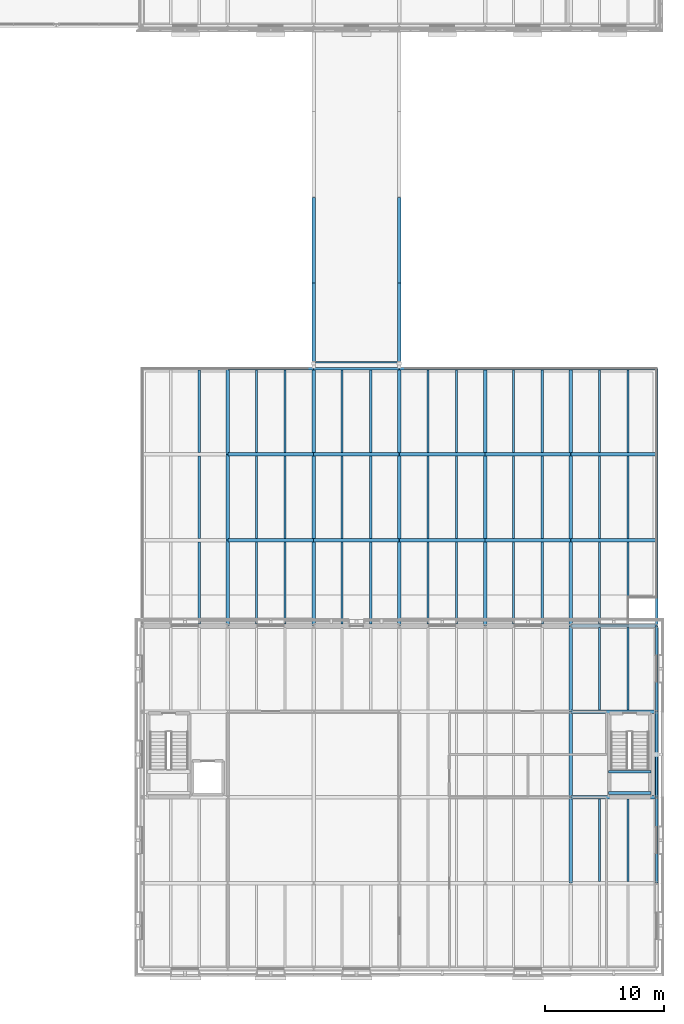
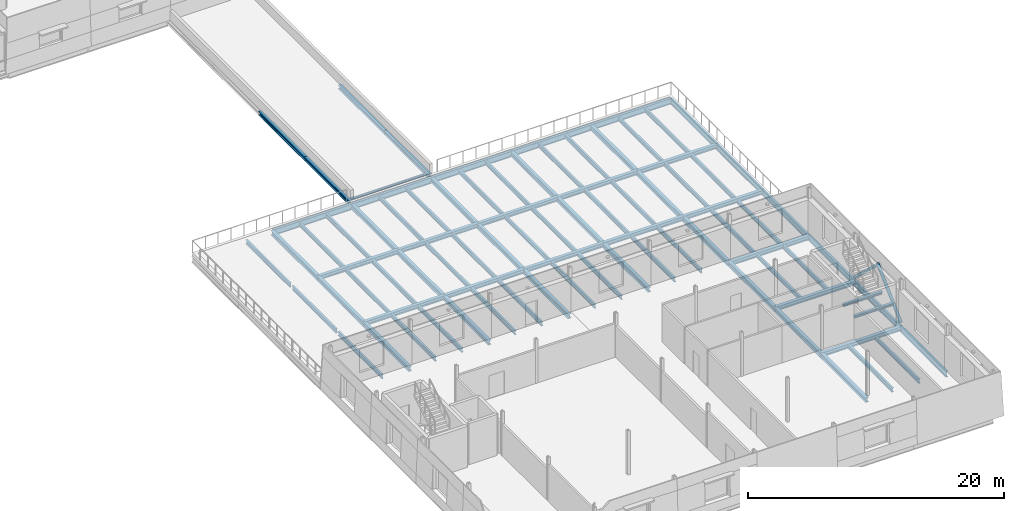
# One storey, part 36 of 115: 86 beams, 2 members.
"""IFC4 building model written with IfcOpenShell, lengths in metres."""

from ifc_helpers import new_model, si_unit, direction, frame, origin, origin_2d, place, context, subcontext, project, spatial, hollow_circle, i_section, extrude, material, material_profile, profile_set, type_object, element, save


model = new_model("IFC4")

# Units and contexts
model_context = context("Model", 3, precision=1e-05, world=origin(), true_north=direction((0.0, 1.0)))
body_context = subcontext(model_context, "Body", "Model", "MODEL_VIEW")
ifc_project = project(units=[si_unit("LENGTHUNIT", "METRE"), si_unit("AREAUNIT", "SQUARE_METRE"), si_unit("VOLUMEUNIT", "CUBIC_METRE"), si_unit("PLANEANGLEUNIT", "RADIAN"), si_unit("MASSUNIT", "GRAM", prefix="KILO")], contexts=[model_context])

# Site, building, storey
site_placement = place(None, origin())
site = spatial("IfcSite", under=ifc_project, at=site_placement, CompositionType="ELEMENT")
building_placement = place(site_placement, origin())
building = spatial("IfcBuilding", under=site, at=building_placement, Name="Narikvali Park Central Library", CompositionType="ELEMENT")
storey_placement = place(building_placement, frame((0.0, 0.0, 10.199951171875)))
storey = spatial("IfcBuildingStorey", under=building, at=storey_placement, Name="L02", CompositionType="ELEMENT", Elevation=10.199951171875)

# Beams
ifc_material = material(Name="Steel S355", Category="steel")
ifc_material_profile_1 = material_profile(ifc_material, i_section(OverallWidth=0.300048828125, OverallDepth=0.360107421875, WebThickness=0.012451171875, FlangeThickness=0.0224609375, FilletRadius=0.027099609375, at=origin_2d()), Name="HEB 360")
ifc_profile_set_1 = profile_set([ifc_material_profile_1], Name="Steel S355")
beam_type_1 = type_object("IfcBeamType", Name="Cloister Bridge Girder HEB360", PredefinedType="BEAM", material=ifc_profile_set_1)
beam_1_placement = place(storey_placement, frame((136.800048828125, 50.6201171875, -0.419921875), z_axis=(0.0, 1.0, 0.0), x_axis=(-1.0, 0.0, 0.0)))
element("IfcBeam", 1, at=beam_1_placement, inside=storey, type_object=beam_type_1, Name="BRG-4 L02 Sliding Bridge Girder 1-1", PredefinedType="BEAM", context=body_context, shape_type="SweptSolid", body=[
    extrude(i_section(OverallWidth=0.300048828125, OverallDepth=0.360107421875, WebThickness=0.012451171875, FlangeThickness=0.0224609375, FilletRadius=0.027099609375, at=origin_2d()), origin(), (0.0, 0.0, 1.0), 6.969970703125),
])
beam_2_placement = place(storey_placement, frame((136.800048828125, 57.610107421875, -0.419921875), z_axis=(0.0, 1.0, 0.0), x_axis=(-1.0, 0.0, 0.0)))
element("IfcBeam", 2, at=beam_2_placement, inside=storey, type_object=beam_type_1, Name="BRG-4 L02 Sliding Bridge Girder 1-2", PredefinedType="BEAM", context=body_context, shape_type="SweptSolid", body=[
    extrude(i_section(OverallWidth=0.300048828125, OverallDepth=0.360107421875, WebThickness=0.012451171875, FlangeThickness=0.0224609375, FilletRadius=0.027099609375, at=origin_2d()), origin(), (0.0, 0.0, 1.0), 7.179931640625),
])
beam_3_placement = place(storey_placement, frame((144.0, 50.6201171875, -0.419921875), z_axis=(0.0, 1.0, 0.0), x_axis=(-1.0, 0.0, 0.0)))
element("IfcBeam", 3, at=beam_3_placement, inside=storey, type_object=beam_type_1, Name="BRG-4 L02 Sliding Bridge Girder 2-1", PredefinedType="BEAM", context=body_context, shape_type="SweptSolid", body=[
    extrude(i_section(OverallWidth=0.300048828125, OverallDepth=0.360107421875, WebThickness=0.012451171875, FlangeThickness=0.0224609375, FilletRadius=0.027099609375, at=origin_2d()), origin(), (0.0, 0.0, 1.0), 6.969970703125),
])
beam_4_placement = place(storey_placement, frame((144.0, 57.610107421875, -0.419921875), z_axis=(0.0, 1.0, 0.0), x_axis=(-1.0, 0.0, 0.0)))
element("IfcBeam", 4, at=beam_4_placement, inside=storey, type_object=beam_type_1, Name="BRG-4 L02 Sliding Bridge Girder 2-2", PredefinedType="BEAM", context=body_context, shape_type="SweptSolid", body=[
    extrude(i_section(OverallWidth=0.300048828125, OverallDepth=0.360107421875, WebThickness=0.012451171875, FlangeThickness=0.0224609375, FilletRadius=0.027099609375, at=origin_2d()), origin(), (0.0, 0.0, 1.0), 7.179931640625),
])
ifc_material_profile_2 = material_profile(ifc_material, i_section(OverallWidth=0.179931640625, OverallDepth=0.39990234375, WebThickness=0.008544921875, FlangeThickness=0.013427734375, FilletRadius=0.02099609375, at=origin_2d()), Name="IPE 400")
ifc_profile_set_2 = profile_set([ifc_material_profile_2], Name="Steel S355")
beam_type_2 = type_object("IfcBeamType", Name="Composite Floor Joist IPE400", PredefinedType="JOIST", material=ifc_profile_set_2)
for number, where, z_axis, x_axis, name in (
    (5, (127.199951171875, 28.949951171875, -0.5400390625), (0.0, 1.0, 0.0), (-1.0, 0.0, 0.0), "V6 L02 Composite Joist 2"),
    (6, (127.199951171875, 36.14990234375, -0.5400390625), (0.0, 1.0, 0.0), (-1.0, 0.0, 0.0), "V6 L02 Composite Joist 2"),
):
    element("IfcBeam", number, at=place(storey_placement, frame(where, z_axis=z_axis, x_axis=x_axis)), inside=storey, type_object=beam_type_2, Name=name, PredefinedType="JOIST", context=body_context, shape_type="SweptSolid", body=[
        extrude(i_section(OverallWidth=0.179931640625, OverallDepth=0.39990234375, WebThickness=0.008544921875, FlangeThickness=0.013427734375, FilletRadius=0.02099609375, at=origin_2d()), origin(), (0.0, 0.0, 1.0), 6.900146484375),
    ])
beam_5_placement = place(storey_placement, frame((127.199951171875, 43.35009765625, -0.5400390625), z_axis=(0.0, 1.0, 0.0), x_axis=(-1.0, 0.0, 0.0)))
element("IfcBeam", 7, at=beam_5_placement, inside=storey, type_object=beam_type_2, Name="V6 L02 Composite Joist 2", PredefinedType="JOIST", context=body_context, shape_type="SweptSolid", body=[
    extrude(i_section(OverallWidth=0.179931640625, OverallDepth=0.39990234375, WebThickness=0.008544921875, FlangeThickness=0.013427734375, FilletRadius=0.02099609375, at=origin_2d()), origin(), (0.0, 0.0, 1.0), 6.94482421875),
])
for number, where, z_axis, x_axis, name in (
    (8, (132.0, 28.949951171875, -0.5400390625), (0.0, 1.0, 0.0), (-1.0, 0.0, 0.0), "V6 L02 Composite Joist 1"),
    (9, (134.39990234375, 28.949951171875, -0.5400390625), (0.0, 1.0, 0.0), (-1.0, 0.0, 0.0), "V6 L02 Composite Joist 2"),
    (10, (132.0, 36.14990234375, -0.5400390625), (0.0, 1.0, 0.0), (-1.0, 0.0, 0.0), "V6 L02 Composite Joist 1"),
    (11, (134.39990234375, 36.14990234375, -0.5400390625), (0.0, 1.0, 0.0), (-1.0, 0.0, 0.0), "V6 L02 Composite Joist 2"),
):
    element("IfcBeam", number, at=place(storey_placement, frame(where, z_axis=z_axis, x_axis=x_axis)), inside=storey, type_object=beam_type_2, Name=name, PredefinedType="JOIST", context=body_context, shape_type="SweptSolid", body=[
        extrude(i_section(OverallWidth=0.179931640625, OverallDepth=0.39990234375, WebThickness=0.008544921875, FlangeThickness=0.013427734375, FilletRadius=0.02099609375, at=origin_2d()), origin(), (0.0, 0.0, 1.0), 6.900146484375),
    ])
for number, where, z_axis, x_axis, name in (
    (12, (132.0, 43.35009765625, -0.5400390625), (0.0, 1.0, 0.0), (-1.0, 0.0, 0.0), "V6 L02 Composite Joist 1"),
    (13, (134.39990234375, 43.35009765625, -0.5400390625), (0.0, 1.0, 0.0), (-1.0, 0.0, 0.0), "V6 L02 Composite Joist 2"),
):
    element("IfcBeam", number, at=place(storey_placement, frame(where, z_axis=z_axis, x_axis=x_axis)), inside=storey, type_object=beam_type_2, Name=name, PredefinedType="JOIST", context=body_context, shape_type="SweptSolid", body=[
        extrude(i_section(OverallWidth=0.179931640625, OverallDepth=0.39990234375, WebThickness=0.008544921875, FlangeThickness=0.013427734375, FilletRadius=0.02099609375, at=origin_2d()), origin(), (0.0, 0.0, 1.0), 6.94482421875),
    ])
for number, where, z_axis, x_axis, name in (
    (14, (139.199951171875, 28.949951171875, -0.5400390625), (0.0, 1.0, 0.0), (-1.0, 0.0, 0.0), "V6 L02 Composite Joist 1"),
    (15, (141.60009765625, 28.949951171875, -0.5400390625), (0.0, 1.0, 0.0), (-1.0, 0.0, 0.0), "V6 L02 Composite Joist 2"),
    (16, (139.199951171875, 36.14990234375, -0.5400390625), (0.0, 1.0, 0.0), (-1.0, 0.0, 0.0), "V6 L02 Composite Joist 1"),
    (17, (141.60009765625, 36.14990234375, -0.5400390625), (0.0, 1.0, 0.0), (-1.0, 0.0, 0.0), "V6 L02 Composite Joist 2"),
):
    element("IfcBeam", number, at=place(storey_placement, frame(where, z_axis=z_axis, x_axis=x_axis)), inside=storey, type_object=beam_type_2, Name=name, PredefinedType="JOIST", context=body_context, shape_type="SweptSolid", body=[
        extrude(i_section(OverallWidth=0.179931640625, OverallDepth=0.39990234375, WebThickness=0.008544921875, FlangeThickness=0.013427734375, FilletRadius=0.02099609375, at=origin_2d()), origin(), (0.0, 0.0, 1.0), 6.900146484375),
    ])
for number, where, z_axis, x_axis, name in (
    (18, (139.199951171875, 43.35009765625, -0.5400390625), (0.0, 1.0, 0.0), (-1.0, 0.0, 0.0), "V6 L02 Composite Joist 1"),
    (19, (141.60009765625, 43.35009765625, -0.5400390625), (0.0, 1.0, 0.0), (-1.0, 0.0, 0.0), "V6 L02 Composite Joist 2"),
):
    element("IfcBeam", number, at=place(storey_placement, frame(where, z_axis=z_axis, x_axis=x_axis)), inside=storey, type_object=beam_type_2, Name=name, PredefinedType="JOIST", context=body_context, shape_type="SweptSolid", body=[
        extrude(i_section(OverallWidth=0.179931640625, OverallDepth=0.39990234375, WebThickness=0.008544921875, FlangeThickness=0.013427734375, FilletRadius=0.02099609375, at=origin_2d()), origin(), (0.0, 0.0, 1.0), 6.94482421875),
    ])
for number, where, z_axis, x_axis, name in (
    (20, (146.39990234375, 28.949951171875, -0.5400390625), (0.0, 1.0, 0.0), (-1.0, 0.0, 0.0), "V6 L02 Composite Joist 1"),
    (21, (148.800048828125, 28.949951171875, -0.5400390625), (0.0, 1.0, 0.0), (-1.0, 0.0, 0.0), "V6 L02 Composite Joist 2"),
    (22, (146.39990234375, 36.14990234375, -0.5400390625), (0.0, 1.0, 0.0), (-1.0, 0.0, 0.0), "V6 L02 Composite Joist 1"),
    (23, (148.800048828125, 36.14990234375, -0.5400390625), (0.0, 1.0, 0.0), (-1.0, 0.0, 0.0), "V6 L02 Composite Joist 2"),
):
    element("IfcBeam", number, at=place(storey_placement, frame(where, z_axis=z_axis, x_axis=x_axis)), inside=storey, type_object=beam_type_2, Name=name, PredefinedType="JOIST", context=body_context, shape_type="SweptSolid", body=[
        extrude(i_section(OverallWidth=0.179931640625, OverallDepth=0.39990234375, WebThickness=0.008544921875, FlangeThickness=0.013427734375, FilletRadius=0.02099609375, at=origin_2d()), origin(), (0.0, 0.0, 1.0), 6.900146484375),
    ])
for number, where, z_axis, x_axis, name in (
    (24, (146.39990234375, 43.35009765625, -0.5400390625), (0.0, 1.0, 0.0), (-1.0, 0.0, 0.0), "V6 L02 Composite Joist 1"),
    (25, (148.800048828125, 43.35009765625, -0.5400390625), (0.0, 1.0, 0.0), (-1.0, 0.0, 0.0), "V6 L02 Composite Joist 2"),
):
    element("IfcBeam", number, at=place(storey_placement, frame(where, z_axis=z_axis, x_axis=x_axis)), inside=storey, type_object=beam_type_2, Name=name, PredefinedType="JOIST", context=body_context, shape_type="SweptSolid", body=[
        extrude(i_section(OverallWidth=0.179931640625, OverallDepth=0.39990234375, WebThickness=0.008544921875, FlangeThickness=0.013427734375, FilletRadius=0.02099609375, at=origin_2d()), origin(), (0.0, 0.0, 1.0), 6.94482421875),
    ])
for number, where, z_axis, x_axis, name in (
    (26, (153.60009765625, 28.949951171875, -0.5400390625), (0.0, 1.0, 0.0), (-1.0, 0.0, 0.0), "V6 L02 Composite Joist 1"),
    (27, (156.0, 28.949951171875, -0.5400390625), (0.0, 1.0, 0.0), (-1.0, 0.0, 0.0), "V6 L02 Composite Joist 2"),
    (28, (153.60009765625, 36.14990234375, -0.5400390625), (0.0, 1.0, 0.0), (-1.0, 0.0, 0.0), "V6 L02 Composite Joist 1"),
    (29, (156.0, 36.14990234375, -0.5400390625), (0.0, 1.0, 0.0), (-1.0, 0.0, 0.0), "V6 L02 Composite Joist 2"),
):
    element("IfcBeam", number, at=place(storey_placement, frame(where, z_axis=z_axis, x_axis=x_axis)), inside=storey, type_object=beam_type_2, Name=name, PredefinedType="JOIST", context=body_context, shape_type="SweptSolid", body=[
        extrude(i_section(OverallWidth=0.179931640625, OverallDepth=0.39990234375, WebThickness=0.008544921875, FlangeThickness=0.013427734375, FilletRadius=0.02099609375, at=origin_2d()), origin(), (0.0, 0.0, 1.0), 6.900146484375),
    ])
for number, where, z_axis, x_axis, name in (
    (30, (153.60009765625, 43.35009765625, -0.5400390625), (0.0, 1.0, 0.0), (-1.0, 0.0, 0.0), "V6 L02 Composite Joist 1"),
    (31, (156.0, 43.35009765625, -0.5400390625), (0.0, 1.0, 0.0), (-1.0, 0.0, 0.0), "V6 L02 Composite Joist 2"),
):
    element("IfcBeam", number, at=place(storey_placement, frame(where, z_axis=z_axis, x_axis=x_axis)), inside=storey, type_object=beam_type_2, Name=name, PredefinedType="JOIST", context=body_context, shape_type="SweptSolid", body=[
        extrude(i_section(OverallWidth=0.179931640625, OverallDepth=0.39990234375, WebThickness=0.008544921875, FlangeThickness=0.013427734375, FilletRadius=0.02099609375, at=origin_2d()), origin(), (0.0, 0.0, 1.0), 6.94482421875),
    ])
for number, where, z_axis, x_axis, name in (
    (32, (160.800048828125, 7.35009765625, -0.47998046875), (0.0, 1.0, 0.0), (-1.0, 0.0, 0.0), "V6 L02 Composite Joist 1"),
    (33, (163.199951171875, 7.35009765625, -0.47998046875), (0.0, 1.0, 0.0), (-1.0, 0.0, 0.0), "V6 L02 Composite Joist 2"),
    (34, (160.800048828125, 21.75, -0.47998046875), (0.0, 1.0, 0.0), (-1.0, 0.0, 0.0), "V6 L02 Composite Joist 1"),
    (35, (163.199951171875, 21.75, -0.47998046875), (0.0, 1.0, 0.0), (-1.0, 0.0, 0.0), "V6 L02 Composite Joist 2"),
):
    element("IfcBeam", number, at=place(storey_placement, frame(where, z_axis=z_axis, x_axis=x_axis)), inside=storey, type_object=beam_type_2, Name=name, PredefinedType="JOIST", context=body_context, shape_type="SweptSolid", body=[
        extrude(i_section(OverallWidth=0.179931640625, OverallDepth=0.39990234375, WebThickness=0.008544921875, FlangeThickness=0.013427734375, FilletRadius=0.02099609375, at=origin_2d()), origin(), (0.0, 0.0, 1.0), 6.89990234375),
    ])
for number, where, z_axis, x_axis, name in (
    (36, (160.800048828125, 28.949951171875, -0.5400390625), (0.0, 1.0, 0.0), (-1.0, 0.0, 0.0), "V6 L02 Composite Joist 1"),
    (37, (163.199951171875, 28.949951171875, -0.5400390625), (0.0, 1.0, 0.0), (-1.0, 0.0, 0.0), "V6 L02 Composite Joist 2"),
    (38, (160.800048828125, 36.14990234375, -0.5400390625), (0.0, 1.0, 0.0), (-1.0, 0.0, 0.0), "V6 L02 Composite Joist 1"),
    (39, (163.199951171875, 36.14990234375, -0.5400390625), (0.0, 1.0, 0.0), (-1.0, 0.0, 0.0), "V6 L02 Composite Joist 2"),
):
    element("IfcBeam", number, at=place(storey_placement, frame(where, z_axis=z_axis, x_axis=x_axis)), inside=storey, type_object=beam_type_2, Name=name, PredefinedType="JOIST", context=body_context, shape_type="SweptSolid", body=[
        extrude(i_section(OverallWidth=0.179931640625, OverallDepth=0.39990234375, WebThickness=0.008544921875, FlangeThickness=0.013427734375, FilletRadius=0.02099609375, at=origin_2d()), origin(), (0.0, 0.0, 1.0), 6.900146484375),
    ])
for number, where, z_axis, x_axis, name in (
    (40, (160.800048828125, 43.35009765625, -0.5400390625), (0.0, 1.0, 0.0), (-1.0, 0.0, 0.0), "V6 L02 Composite Joist 1"),
    (41, (163.199951171875, 43.35009765625, -0.5400390625), (0.0, 1.0, 0.0), (-1.0, 0.0, 0.0), "V6 L02 Composite Joist 2"),
):
    element("IfcBeam", number, at=place(storey_placement, frame(where, z_axis=z_axis, x_axis=x_axis)), inside=storey, type_object=beam_type_2, Name=name, PredefinedType="JOIST", context=body_context, shape_type="SweptSolid", body=[
        extrude(i_section(OverallWidth=0.179931640625, OverallDepth=0.39990234375, WebThickness=0.008544921875, FlangeThickness=0.013427734375, FilletRadius=0.02099609375, at=origin_2d()), origin(), (0.0, 0.0, 1.0), 6.94482421875),
    ])
ifc_material_profile_3 = material_profile(ifc_material, i_section(OverallWidth=0.239990234375, OverallDepth=0.239990234375, WebThickness=0.010009765625, FlangeThickness=0.01708984375, FilletRadius=0.02099609375, at=origin_2d()), Name="HEB 240")
ifc_profile_set_3 = profile_set([ifc_material_profile_3], Name="Steel S355")
beam_type_3 = type_object("IfcBeamType", Name="Core Trimmer Girder HEB240", PredefinedType="BEAM", material=ifc_profile_set_3)
for number, where, z_axis, x_axis, name in (
    (42, (161.570068359375, 14.77001953125, 1.780029296875), (1.0, 0.0, 0.0), (0.0, 1.0, 0.0), "ST-12 L02 Landing Trimmer Beam 1-1"),
    (43, (161.570068359375, 16.544921875, 1.780029296875), (1.0, 0.0, 0.0), (0.0, 1.0, 0.0), "ST-12 L02 Landing Trimmer Beam 1-2"),
):
    element("IfcBeam", number, at=place(storey_placement, frame(where, z_axis=z_axis, x_axis=x_axis)), inside=storey, type_object=beam_type_3, Name=name, PredefinedType="BEAM", context=body_context, shape_type="SweptSolid", body=[
        extrude(i_section(OverallWidth=0.239990234375, OverallDepth=0.239990234375, WebThickness=0.010009765625, FlangeThickness=0.01708984375, FilletRadius=0.02099609375, at=origin_2d()), origin(), (0.0, 0.0, 1.0), 3.559814453125),
    ])
ifc_material_profile_4 = material_profile(ifc_material, i_section(OverallWidth=0.2099609375, OverallDepth=0.550048828125, WebThickness=0.010986328125, FlangeThickness=0.01708984375, FilletRadius=0.02392578125, at=origin_2d()), Name="IPE 550")
ifc_profile_set_4 = profile_set([ifc_material_profile_4], Name="Steel S355")
beam_type_4 = type_object("IfcBeamType", Name="Perimeter Spandrel IPE550", PredefinedType="SPANDREL", material=ifc_profile_set_4)
beam_6_placement = place(storey_placement, frame((129.60791015625, 50.39990234375, -0.614990234375), z_axis=(1.0, 0.0, 0.0), x_axis=(0.0, 1.0, 0.0)))
element("IfcBeam", 44, at=beam_6_placement, inside=storey, type_object=beam_type_4, Name="V6 L02 Girder X", PredefinedType="SPANDREL", context=body_context, shape_type="SweptSolid", body=[
    extrude(i_section(OverallWidth=0.2099609375, OverallDepth=0.550048828125, WebThickness=0.010986328125, FlangeThickness=0.01708984375, FilletRadius=0.02392578125, at=origin_2d()), origin(), (0.0, 0.0, 1.0), 7.18408203125),
])
for number, where, z_axis, x_axis, name in (
    (45, (136.80810546875, 50.39990234375, -0.614990234375), (1.0, 0.0, 0.0), (0.0, 1.0, 0.0), "V6 L02 Girder X"),
    (46, (144.008056640625, 50.39990234375, -0.614990234375), (1.0, 0.0, 0.0), (0.0, 1.0, 0.0), "V6 L02 Girder X"),
):
    element("IfcBeam", number, at=place(storey_placement, frame(where, z_axis=z_axis, x_axis=x_axis)), inside=storey, type_object=beam_type_4, Name=name, PredefinedType="SPANDREL", context=body_context, shape_type="SweptSolid", body=[
        extrude(i_section(OverallWidth=0.2099609375, OverallDepth=0.550048828125, WebThickness=0.010986328125, FlangeThickness=0.01708984375, FilletRadius=0.02392578125, at=origin_2d()), origin(), (0.0, 0.0, 1.0), 7.183837890625),
    ])
for number, where, z_axis, x_axis, name in (
    (47, (151.2080078125, 50.39990234375, -0.614990234375), (1.0, 0.0, 0.0), (0.0, 1.0, 0.0), "V6 L02 Girder X"),
    (48, (158.407958984375, 50.39990234375, -0.614990234375), (1.0, 0.0, 0.0), (0.0, 1.0, 0.0), "V6 L02 Girder X"),
    (49, (165.60009765625, 7.2080078125, -0.554931640625), (0.0, 1.0, 0.0), (-1.0, 0.0, 0.0), "V6 L02 Girder Y"),
    (50, (165.60009765625, 14.407958984375, -0.554931640625), (0.0, 1.0, 0.0), (-1.0, 0.0, 0.0), "V6 L02 Girder Y"),
    (51, (165.60009765625, 21.60791015625, -0.554931640625), (0.0, 1.0, 0.0), (-1.0, 0.0, 0.0), "V6 L02 Girder Y"),
):
    element("IfcBeam", number, at=place(storey_placement, frame(where, z_axis=z_axis, x_axis=x_axis)), inside=storey, type_object=beam_type_4, Name=name, PredefinedType="SPANDREL", context=body_context, shape_type="SweptSolid", body=[
        extrude(i_section(OverallWidth=0.2099609375, OverallDepth=0.550048828125, WebThickness=0.010986328125, FlangeThickness=0.01708984375, FilletRadius=0.02392578125, at=origin_2d()), origin(), (0.0, 0.0, 1.0), 7.18408203125),
    ])
for number, where, z_axis, x_axis, name in (
    (52, (165.60009765625, 28.80810546875, -0.614990234375), (0.0, 1.0, 0.0), (-1.0, 0.0, 0.0), "V6 L02 Girder Y"),
    (53, (165.60009765625, 36.008056640625, -0.614990234375), (0.0, 1.0, 0.0), (-1.0, 0.0, 0.0), "V6 L02 Girder Y"),
):
    element("IfcBeam", number, at=place(storey_placement, frame(where, z_axis=z_axis, x_axis=x_axis)), inside=storey, type_object=beam_type_4, Name=name, PredefinedType="SPANDREL", context=body_context, shape_type="SweptSolid", body=[
        extrude(i_section(OverallWidth=0.2099609375, OverallDepth=0.550048828125, WebThickness=0.010986328125, FlangeThickness=0.01708984375, FilletRadius=0.02392578125, at=origin_2d()), origin(), (0.0, 0.0, 1.0), 7.183837890625),
    ])
beam_7_placement = place(storey_placement, frame((165.60009765625, 43.2080078125, -0.614990234375), z_axis=(0.0, 1.0, 0.0), x_axis=(-1.0, 0.0, 0.0)))
element("IfcBeam", 54, at=beam_7_placement, inside=storey, type_object=beam_type_4, Name="V6 L02 Girder Y", PredefinedType="SPANDREL", context=body_context, shape_type="SweptSolid", body=[
    extrude(i_section(OverallWidth=0.2099609375, OverallDepth=0.550048828125, WebThickness=0.010986328125, FlangeThickness=0.01708984375, FilletRadius=0.02392578125, at=origin_2d()), origin(), (0.0, 0.0, 1.0), 7.18408203125),
])
ifc_material_profile_5 = material_profile(ifc_material, i_section(OverallWidth=0.1201171875, OverallDepth=0.239990234375, WebThickness=0.006103515625, FlangeThickness=0.009765625, FilletRadius=0.014892578125, at=origin_2d()), Name="IPE 240")
ifc_profile_set_5 = profile_set([ifc_material_profile_5], Name="Steel S355")
beam_type_5 = type_object("IfcBeamType", Name="Portal Steel Lintel IPE240", PredefinedType="LINTEL", material=ifc_profile_set_5)
beam_8_placement = place(storey_placement, frame((136.9599609375, 50.949951171875, -0.35986328125), z_axis=(1.0, 0.0, 0.0), x_axis=(0.0, 1.0, 0.0)))
element("IfcBeam", 55, at=beam_8_placement, inside=storey, type_object=beam_type_5, Name="BRG-4 L02 Portal Transverse Lintel", PredefinedType="LINTEL", context=body_context, shape_type="SweptSolid", body=[
    extrude(i_section(OverallWidth=0.1201171875, OverallDepth=0.239990234375, WebThickness=0.006103515625, FlangeThickness=0.009765625, FilletRadius=0.014892578125, at=origin_2d()), origin(), (0.0, 0.0, 1.0), 6.880126953125),
])
ifc_material_profile_6 = material_profile(ifc_material, i_section(OverallWidth=0.300048828125, OverallDepth=0.389892578125, WebThickness=0.010986328125, FlangeThickness=0.01904296875, FilletRadius=0.027099609375, at=origin_2d()), Name="HEA 400")
ifc_profile_set_6 = profile_set([ifc_material_profile_6], Name="Steel S355")
beam_type_6 = type_object("IfcBeamType", Name="Primary Girder HEA400", PredefinedType="BEAM", material=ifc_profile_set_6)
for number, where, z_axis, x_axis, name in (
    (56, (158.407958984375, 14.39990234375, -0.474853515625), (1.0, 0.0, 0.0), (0.0, 1.0, 0.0), "V6 L02 Girder X"),
    (57, (158.407958984375, 21.60009765625, -0.474853515625), (1.0, 0.0, 0.0), (0.0, 1.0, 0.0), "V6 L02 Girder X"),
    (58, (158.407958984375, 28.800048828125, -0.534912109375), (1.0, 0.0, 0.0), (0.0, 1.0, 0.0), "V6 L02 Girder X"),
    (59, (129.60791015625, 36.0, -0.534912109375), (1.0, 0.0, 0.0), (0.0, 1.0, 0.0), "V6 L02 Girder X"),
):
    element("IfcBeam", number, at=place(storey_placement, frame(where, z_axis=z_axis, x_axis=x_axis)), inside=storey, type_object=beam_type_6, Name=name, PredefinedType="BEAM", context=body_context, shape_type="SweptSolid", body=[
        extrude(i_section(OverallWidth=0.300048828125, OverallDepth=0.389892578125, WebThickness=0.010986328125, FlangeThickness=0.01904296875, FilletRadius=0.027099609375, at=origin_2d()), origin(), (0.0, 0.0, 1.0), 7.18408203125),
    ])
for number, where, z_axis, x_axis, name in (
    (60, (136.80810546875, 36.0, -0.534912109375), (1.0, 0.0, 0.0), (0.0, 1.0, 0.0), "V6 L02 Girder X"),
    (61, (144.008056640625, 36.0, -0.534912109375), (1.0, 0.0, 0.0), (0.0, 1.0, 0.0), "V6 L02 Girder X"),
):
    element("IfcBeam", number, at=place(storey_placement, frame(where, z_axis=z_axis, x_axis=x_axis)), inside=storey, type_object=beam_type_6, Name=name, PredefinedType="BEAM", context=body_context, shape_type="SweptSolid", body=[
        extrude(i_section(OverallWidth=0.300048828125, OverallDepth=0.389892578125, WebThickness=0.010986328125, FlangeThickness=0.01904296875, FilletRadius=0.027099609375, at=origin_2d()), origin(), (0.0, 0.0, 1.0), 7.183837890625),
    ])
for number, where, z_axis, x_axis, name in (
    (62, (151.2080078125, 36.0, -0.534912109375), (1.0, 0.0, 0.0), (0.0, 1.0, 0.0), "V6 L02 Girder X"),
    (63, (158.407958984375, 36.0, -0.534912109375), (1.0, 0.0, 0.0), (0.0, 1.0, 0.0), "V6 L02 Girder X"),
    (64, (129.60791015625, 43.199951171875, -0.534912109375), (1.0, 0.0, 0.0), (0.0, 1.0, 0.0), "V6 L02 Girder X"),
):
    element("IfcBeam", number, at=place(storey_placement, frame(where, z_axis=z_axis, x_axis=x_axis)), inside=storey, type_object=beam_type_6, Name=name, PredefinedType="BEAM", context=body_context, shape_type="SweptSolid", body=[
        extrude(i_section(OverallWidth=0.300048828125, OverallDepth=0.389892578125, WebThickness=0.010986328125, FlangeThickness=0.01904296875, FilletRadius=0.027099609375, at=origin_2d()), origin(), (0.0, 0.0, 1.0), 7.18408203125),
    ])
for number, where, z_axis, x_axis, name in (
    (65, (136.80810546875, 43.199951171875, -0.534912109375), (1.0, 0.0, 0.0), (0.0, 1.0, 0.0), "V6 L02 Girder X"),
    (66, (144.008056640625, 43.199951171875, -0.534912109375), (1.0, 0.0, 0.0), (0.0, 1.0, 0.0), "V6 L02 Girder X"),
):
    element("IfcBeam", number, at=place(storey_placement, frame(where, z_axis=z_axis, x_axis=x_axis)), inside=storey, type_object=beam_type_6, Name=name, PredefinedType="BEAM", context=body_context, shape_type="SweptSolid", body=[
        extrude(i_section(OverallWidth=0.300048828125, OverallDepth=0.389892578125, WebThickness=0.010986328125, FlangeThickness=0.01904296875, FilletRadius=0.027099609375, at=origin_2d()), origin(), (0.0, 0.0, 1.0), 7.183837890625),
    ])
for number, where, z_axis, x_axis, name in (
    (67, (151.2080078125, 43.199951171875, -0.534912109375), (1.0, 0.0, 0.0), (0.0, 1.0, 0.0), "V6 L02 Girder X"),
    (68, (158.407958984375, 43.199951171875, -0.534912109375), (1.0, 0.0, 0.0), (0.0, 1.0, 0.0), "V6 L02 Girder X"),
):
    element("IfcBeam", number, at=place(storey_placement, frame(where, z_axis=z_axis, x_axis=x_axis)), inside=storey, type_object=beam_type_6, Name=name, PredefinedType="BEAM", context=body_context, shape_type="SweptSolid", body=[
        extrude(i_section(OverallWidth=0.300048828125, OverallDepth=0.389892578125, WebThickness=0.010986328125, FlangeThickness=0.01904296875, FilletRadius=0.027099609375, at=origin_2d()), origin(), (0.0, 0.0, 1.0), 7.18408203125),
    ])
ifc_material_profile_7 = material_profile(ifc_material, i_section(OverallWidth=0.300048828125, OverallDepth=0.43994140625, WebThickness=0.011474609375, FlangeThickness=0.02099609375, FilletRadius=0.027099609375, at=origin_2d()), Name="HEA 450")
ifc_profile_set_7 = profile_set([ifc_material_profile_7], Name="Steel S355")
beam_type_7 = type_object("IfcBeamType", Name="Primary Girder HEA450", PredefinedType="BEAM", material=ifc_profile_set_7)
for number, where, z_axis, x_axis, name in (
    (69, (129.60009765625, 28.80810546875, -0.56005859375), (0.0, 1.0, 0.0), (-1.0, 0.0, 0.0), "V6 L02 Girder Y"),
    (70, (129.60009765625, 36.008056640625, -0.56005859375), (0.0, 1.0, 0.0), (-1.0, 0.0, 0.0), "V6 L02 Girder Y"),
):
    element("IfcBeam", number, at=place(storey_placement, frame(where, z_axis=z_axis, x_axis=x_axis)), inside=storey, type_object=beam_type_7, Name=name, PredefinedType="BEAM", context=body_context, shape_type="SweptSolid", body=[
        extrude(i_section(OverallWidth=0.300048828125, OverallDepth=0.43994140625, WebThickness=0.011474609375, FlangeThickness=0.02099609375, FilletRadius=0.027099609375, at=origin_2d()), origin(), (0.0, 0.0, 1.0), 7.183837890625),
    ])
beam_9_placement = place(storey_placement, frame((129.60009765625, 43.2080078125, -0.56005859375), z_axis=(0.0, 1.0, 0.0), x_axis=(-1.0, 0.0, 0.0)))
element("IfcBeam", 71, at=beam_9_placement, inside=storey, type_object=beam_type_7, Name="V6 L02 Girder Y", PredefinedType="BEAM", context=body_context, shape_type="SweptSolid", body=[
    extrude(i_section(OverallWidth=0.300048828125, OverallDepth=0.43994140625, WebThickness=0.011474609375, FlangeThickness=0.02099609375, FilletRadius=0.027099609375, at=origin_2d()), origin(), (0.0, 0.0, 1.0), 7.18408203125),
])
for number, where, z_axis, x_axis, name in (
    (72, (136.800048828125, 28.80810546875, -0.56005859375), (0.0, 1.0, 0.0), (-1.0, 0.0, 0.0), "V6 L02 Girder Y"),
    (73, (136.800048828125, 36.008056640625, -0.56005859375), (0.0, 1.0, 0.0), (-1.0, 0.0, 0.0), "V6 L02 Girder Y"),
):
    element("IfcBeam", number, at=place(storey_placement, frame(where, z_axis=z_axis, x_axis=x_axis)), inside=storey, type_object=beam_type_7, Name=name, PredefinedType="BEAM", context=body_context, shape_type="SweptSolid", body=[
        extrude(i_section(OverallWidth=0.300048828125, OverallDepth=0.43994140625, WebThickness=0.011474609375, FlangeThickness=0.02099609375, FilletRadius=0.027099609375, at=origin_2d()), origin(), (0.0, 0.0, 1.0), 7.183837890625),
    ])
beam_10_placement = place(storey_placement, frame((136.800048828125, 43.2080078125, -0.56005859375), z_axis=(0.0, 1.0, 0.0), x_axis=(-1.0, 0.0, 0.0)))
element("IfcBeam", 74, at=beam_10_placement, inside=storey, type_object=beam_type_7, Name="V6 L02 Girder Y", PredefinedType="BEAM", context=body_context, shape_type="SweptSolid", body=[
    extrude(i_section(OverallWidth=0.300048828125, OverallDepth=0.43994140625, WebThickness=0.011474609375, FlangeThickness=0.02099609375, FilletRadius=0.027099609375, at=origin_2d()), origin(), (0.0, 0.0, 1.0), 7.18408203125),
])
for number, where, z_axis, x_axis, name in (
    (75, (144.0, 28.80810546875, -0.56005859375), (0.0, 1.0, 0.0), (-1.0, 0.0, 0.0), "V6 L02 Girder Y"),
    (76, (144.0, 36.008056640625, -0.56005859375), (0.0, 1.0, 0.0), (-1.0, 0.0, 0.0), "V6 L02 Girder Y"),
):
    element("IfcBeam", number, at=place(storey_placement, frame(where, z_axis=z_axis, x_axis=x_axis)), inside=storey, type_object=beam_type_7, Name=name, PredefinedType="BEAM", context=body_context, shape_type="SweptSolid", body=[
        extrude(i_section(OverallWidth=0.300048828125, OverallDepth=0.43994140625, WebThickness=0.011474609375, FlangeThickness=0.02099609375, FilletRadius=0.027099609375, at=origin_2d()), origin(), (0.0, 0.0, 1.0), 7.183837890625),
    ])
beam_11_placement = place(storey_placement, frame((144.0, 43.2080078125, -0.56005859375), z_axis=(0.0, 1.0, 0.0), x_axis=(-1.0, 0.0, 0.0)))
element("IfcBeam", 77, at=beam_11_placement, inside=storey, type_object=beam_type_7, Name="V6 L02 Girder Y", PredefinedType="BEAM", context=body_context, shape_type="SweptSolid", body=[
    extrude(i_section(OverallWidth=0.300048828125, OverallDepth=0.43994140625, WebThickness=0.011474609375, FlangeThickness=0.02099609375, FilletRadius=0.027099609375, at=origin_2d()), origin(), (0.0, 0.0, 1.0), 7.18408203125),
])
for number, where, z_axis, x_axis, name in (
    (78, (151.199951171875, 28.80810546875, -0.56005859375), (0.0, 1.0, 0.0), (-1.0, 0.0, 0.0), "V6 L02 Girder Y"),
    (79, (151.199951171875, 36.008056640625, -0.56005859375), (0.0, 1.0, 0.0), (-1.0, 0.0, 0.0), "V6 L02 Girder Y"),
):
    element("IfcBeam", number, at=place(storey_placement, frame(where, z_axis=z_axis, x_axis=x_axis)), inside=storey, type_object=beam_type_7, Name=name, PredefinedType="BEAM", context=body_context, shape_type="SweptSolid", body=[
        extrude(i_section(OverallWidth=0.300048828125, OverallDepth=0.43994140625, WebThickness=0.011474609375, FlangeThickness=0.02099609375, FilletRadius=0.027099609375, at=origin_2d()), origin(), (0.0, 0.0, 1.0), 7.183837890625),
    ])
for number, where, z_axis, x_axis, name in (
    (80, (151.199951171875, 43.2080078125, -0.56005859375), (0.0, 1.0, 0.0), (-1.0, 0.0, 0.0), "V6 L02 Girder Y"),
    (81, (158.39990234375, 7.2080078125, -0.5), (0.0, 1.0, 0.0), (-1.0, 0.0, 0.0), "V6 L02 Girder Y"),
    (82, (158.39990234375, 14.407958984375, -0.5), (0.0, 1.0, 0.0), (-1.0, 0.0, 0.0), "V6 L02 Girder Y"),
    (83, (158.39990234375, 21.60791015625, -0.5), (0.0, 1.0, 0.0), (-1.0, 0.0, 0.0), "V6 L02 Girder Y"),
):
    element("IfcBeam", number, at=place(storey_placement, frame(where, z_axis=z_axis, x_axis=x_axis)), inside=storey, type_object=beam_type_7, Name=name, PredefinedType="BEAM", context=body_context, shape_type="SweptSolid", body=[
        extrude(i_section(OverallWidth=0.300048828125, OverallDepth=0.43994140625, WebThickness=0.011474609375, FlangeThickness=0.02099609375, FilletRadius=0.027099609375, at=origin_2d()), origin(), (0.0, 0.0, 1.0), 7.18408203125),
    ])
for number, where, z_axis, x_axis, name in (
    (84, (158.39990234375, 28.80810546875, -0.56005859375), (0.0, 1.0, 0.0), (-1.0, 0.0, 0.0), "V6 L02 Girder Y"),
    (85, (158.39990234375, 36.008056640625, -0.56005859375), (0.0, 1.0, 0.0), (-1.0, 0.0, 0.0), "V6 L02 Girder Y"),
):
    element("IfcBeam", number, at=place(storey_placement, frame(where, z_axis=z_axis, x_axis=x_axis)), inside=storey, type_object=beam_type_7, Name=name, PredefinedType="BEAM", context=body_context, shape_type="SweptSolid", body=[
        extrude(i_section(OverallWidth=0.300048828125, OverallDepth=0.43994140625, WebThickness=0.011474609375, FlangeThickness=0.02099609375, FilletRadius=0.027099609375, at=origin_2d()), origin(), (0.0, 0.0, 1.0), 7.183837890625),
    ])
beam_12_placement = place(storey_placement, frame((158.39990234375, 43.2080078125, -0.56005859375), z_axis=(0.0, 1.0, 0.0), x_axis=(-1.0, 0.0, 0.0)))
element("IfcBeam", 86, at=beam_12_placement, inside=storey, type_object=beam_type_7, Name="V6 L02 Girder Y", PredefinedType="BEAM", context=body_context, shape_type="SweptSolid", body=[
    extrude(i_section(OverallWidth=0.300048828125, OverallDepth=0.43994140625, WebThickness=0.011474609375, FlangeThickness=0.02099609375, FilletRadius=0.027099609375, at=origin_2d()), origin(), (0.0, 0.0, 1.0), 7.18408203125),
])

# Members
ifc_material_profile_8 = material_profile(ifc_material, hollow_circle(Radius=0.136474609375, WallThickness=0.012451171875, at=origin_2d()), Name="CHS 273x12.5")
ifc_profile_set_8 = profile_set([ifc_material_profile_8], Name="Steel S355")
member_type = type_object("IfcMemberType", Name="Seismic Chevron Brace CHS273", PredefinedType="BRACE", material=ifc_profile_set_8)
for number, where, z_axis, x_axis, name in (
    (87, (165.60009765625, 14.4150390625, 0.01513671875), (0.0, 0.72709279328, 0.686539197687), (-1.0, 0.0, 0.0), "V6 L02 Seismic Chevron Brace A"),
    (88, (165.60009765625, 21.5849609375, 0.01513671875), (0.0, -0.72709279328, 0.686539197687), (1.0, 0.0, 0.0), "V6 L02 Seismic Chevron Brace B"),
):
    element("IfcMember", number, at=place(storey_placement, frame(where, z_axis=z_axis, x_axis=x_axis)), inside=storey, type_object=member_type, Name=name, PredefinedType="BRACE", context=body_context, shape_type="SweptSolid", body=[
        extrude(hollow_circle(Radius=0.136474609375, WallThickness=0.012451171875, at=origin_2d()), origin(), (0.0, 0.0, 1.0), 4.930419921875),
    ])

save(model, "model.ifc")
